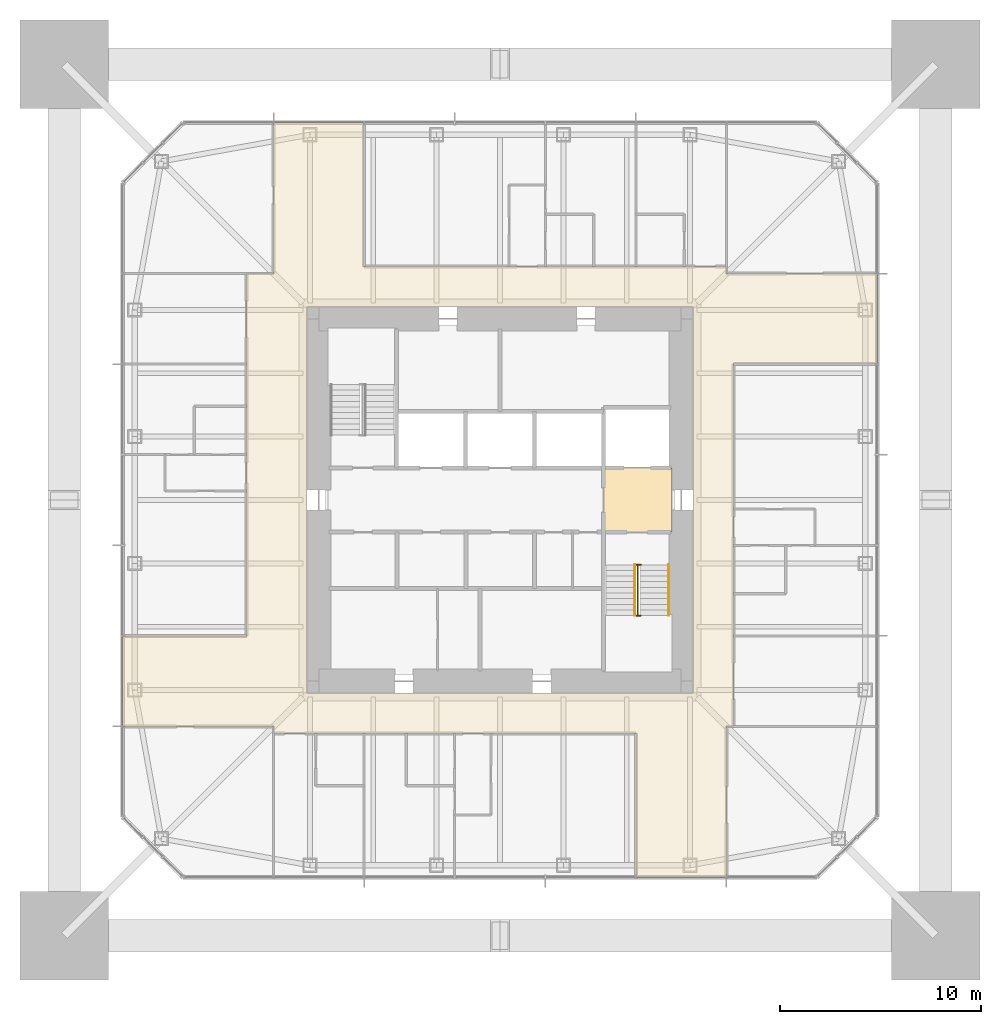
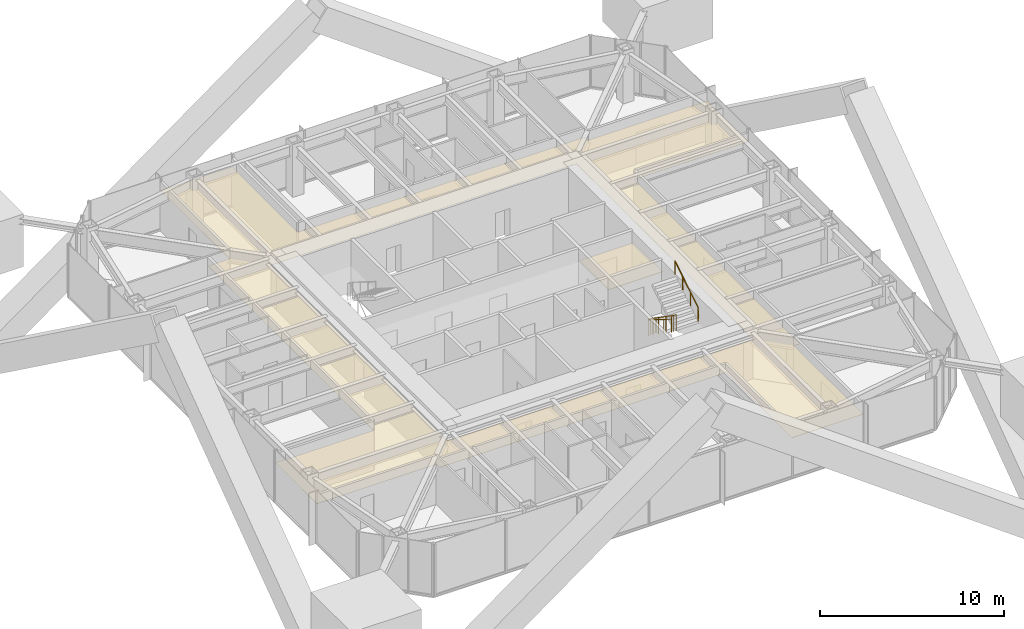
# One storey, part 12 of 13: 3 railings, 2 coverings.
"""IFC4 building model written with IfcOpenShell, lengths in metres."""

from ifc_helpers import new_model, si_unit, direction, frame, origin, origin_2d, place, context, subcontext, project, spatial, polyline, circle, outline, extrude, material, layer, layer_set, constituent, constituent_set, type_object, element, save


model = new_model("IFC4")

# Units and contexts
model_context = context("Model", 3, precision=1e-05, world=origin(), true_north=direction((0.0, 1.0)))
body_context = subcontext(model_context, "Body", "Model", "MODEL_VIEW")
ifc_project = project(units=[si_unit("LENGTHUNIT", "METRE"), si_unit("AREAUNIT", "SQUARE_METRE"), si_unit("VOLUMEUNIT", "CUBIC_METRE"), si_unit("PLANEANGLEUNIT", "RADIAN"), si_unit("MASSUNIT", "GRAM", prefix="KILO")], contexts=[model_context])

# Site, building, storey
site_placement = place(None, origin())
site = spatial("IfcSite", under=ifc_project, at=site_placement, CompositionType="ELEMENT")
building_placement = place(site_placement, origin())
building = spatial("IfcBuilding", under=site, at=building_placement, Name="Iwan Alto Co-Living Towers", CompositionType="ELEMENT")
storey_placement = place(building_placement, frame((0.0, 0.0, 184.5)))
storey = spatial("IfcBuildingStorey", under=building, at=storey_placement, Name="L50", CompositionType="ELEMENT", Elevation=184.5)

# Covering
ifc_material_1 = material(Name="Mineral fibre acoustic tiles on steel grid", Category="steel")
ifc_layer_1 = layer(ifc_material_1, 0.02001953125)
ifc_layer_set_1 = layer_set([ifc_layer_1], Name="ACOUSTIC TILE CEILING 20")
covering_type_1 = type_object("IfcCoveringType", Name="ACOUSTIC TILE CEILING 20", PredefinedType="CEILING", material=ifc_layer_set_1)
covering_1_placement = place(storey_placement, frame((0.0, 0.0, 2.60009765625)))
element("IfcCovering", 1, at=covering_1_placement, inside=storey, type_object=covering_type_1, Name="Ceiling Firefighting lobby L50", PredefinedType="CEILING", context=body_context, shape_type="SweptSolid", body=[
    extrude(outline(polyline([(5.14990234375, -1.60009765625), (5.14990234375, 1.60009765625), (8.550048828125, 1.60009765625), (8.550048828125, -1.60009765625), (5.14990234375, -1.60009765625)])), origin(), (0.0, 0.0, 1.0), 0.02001953125),
])

# Railings
ifc_material_2 = material(Name="Steel ASTM A500 Gr C", Category="steel")
ifc_constituent_1 = constituent(ifc_material_2, Name="Rails and posts", Category="Framing")
ifc_material_3 = material(Name="Steel ASTM A36", Category="steel")
ifc_constituent_2 = constituent(ifc_material_3, Name="Bar infill", Category="Infill")
ifc_constituent_set = constituent_set(constituents=[ifc_constituent_1, ifc_constituent_2], Name="STAIR GUARD 1100")
railing_type_1 = type_object("IfcRailingType", Name="STAIR GUARD 1100", PredefinedType="GUARDRAIL", material=ifc_constituent_set)
railing_1_placement = place(storey_placement, frame((6.85009765625, -3.219970703125, 0.0)))
element("IfcRailing", 2, at=railing_1_placement, inside=storey, type_object=railing_type_1, Name="Stair T1-S2 well guard L50", PredefinedType="GUARDRAIL", context=body_context, shape_type="SweptSolid", body=[
    extrude(circle(Radius=0.02392578125, at=origin_2d()), frame((0.0, 0.0, 1.076171875), z_axis=(0.0, -0.821372036852, 0.570392826987), x_axis=(1.0, 0.0, 0.0)), (0.0, 0.0, 1.0), 3.068115234375),
    extrude(circle(Radius=0.02392578125, at=origin_2d()), frame((-0.150146484375, 0.0, 1.076171875), z_axis=(1.0, 0.0, 0.0), x_axis=(0.0, 1.0, 0.0)), (0.0, 0.0, 1.0), 0.300048828125),
    extrude(circle(Radius=0.02392578125, at=origin_2d()), frame((-0.150146484375, -2.52001953125, 2.826171875), z_axis=(1.0, 0.0, 0.0), x_axis=(0.0, 1.0, 0.0)), (0.0, 0.0, 1.0), 0.300048828125),
    extrude(circle(Radius=0.02099609375, at=origin_2d()), origin(), (0.0, 0.0, 1.0), 1.052001953125),
    extrude(circle(Radius=0.02099609375, at=origin_2d()), frame((0.0, -0.840087890625, 0.583251953125)), (0.0, 0.0, 1.0), 1.052001953125),
    extrude(circle(Radius=0.02099609375, at=origin_2d()), frame((0.0, -1.679931640625, 1.166748046875)), (0.0, 0.0, 1.0), 1.052001953125),
    extrude(circle(Radius=0.02099609375, at=origin_2d()), frame((0.0, -2.52001953125, 1.75)), (0.0, 0.0, 1.0), 1.052001953125),
    extrude(circle(Radius=0.02099609375, at=origin_2d()), frame((-0.150146484375, 0.0, 0.0)), (0.0, 0.0, 1.0), 1.052001953125),
    extrude(circle(Radius=0.02099609375, at=origin_2d()), frame((0.14990234375, 0.0, 0.0)), (0.0, 0.0, 1.0), 1.052001953125),
    extrude(circle(Radius=0.02099609375, at=origin_2d()), frame((-0.150146484375, -2.52001953125, 1.75)), (0.0, 0.0, 1.0), 1.052001953125),
    extrude(circle(Radius=0.02099609375, at=origin_2d()), frame((0.14990234375, -2.52001953125, 1.75)), (0.0, 0.0, 1.0), 1.052001953125),
])
ifc_material_4 = material(Name="Steel ASTM A500 Gr C", Category="steel")
railing_type_2 = type_object("IfcRailingType", Name="STAIR HANDRAIL 900", PredefinedType="HANDRAIL", material=ifc_material_4)
railing_2_placement = place(storey_placement, frame((6.699951171875, -3.219970703125, 0.175048828125)))
element("IfcRailing", 3, at=railing_2_placement, inside=storey, type_object=railing_type_2, Name="Stair T1-S2 handrail 1 L50", PredefinedType="HANDRAIL", context=body_context, shape_type="SweptSolid", body=[
    extrude(circle(Radius=0.02392578125, at=origin_2d()), frame((0.0, 0.0, 0.8759765625), z_axis=(0.0, -0.848007534815, 0.529984170421), x_axis=(1.0, 0.0, 0.0)), (0.0, 0.0, 1.0), 2.9716796875),
    extrude(circle(Radius=0.02099609375, at=origin_2d()), origin(), (0.0, 0.0, 1.0), 0.851806640625),
    extrude(circle(Radius=0.02099609375, at=origin_2d()), frame((0.0, -0.840087890625, 0.52490234375)), (0.0, 0.0, 1.0), 0.851806640625),
    extrude(circle(Radius=0.02099609375, at=origin_2d()), frame((0.0, -1.679931640625, 1.050048828125)), (0.0, 0.0, 1.0), 0.851806640625),
    extrude(circle(Radius=0.02099609375, at=origin_2d()), frame((0.0, -2.52001953125, 1.574951171875)), (0.0, 0.0, 1.0), 0.851806640625),
])
railing_3_placement = place(storey_placement, frame((8.3798828125, -5.739990234375, 1.925048828125)))
element("IfcRailing", 4, at=railing_3_placement, inside=storey, type_object=railing_type_2, Name="Stair T1-S2 handrail 2 L50", PredefinedType="HANDRAIL", context=body_context, shape_type="SweptSolid", body=[
    extrude(circle(Radius=0.02392578125, at=origin_2d()), frame((0.0, 0.0, 0.8759765625), z_axis=(0.0, 0.848007534815, 0.529984170421), x_axis=(-1.0, 0.0, 0.0)), (0.0, 0.0, 1.0), 2.9716796875),
    extrude(circle(Radius=0.02099609375, at=origin_2d()), origin(), (0.0, 0.0, 1.0), 0.851806640625),
    extrude(circle(Radius=0.02099609375, at=origin_2d()), frame((0.0, 0.840087890625, 0.52490234375)), (0.0, 0.0, 1.0), 0.851806640625),
    extrude(circle(Radius=0.02099609375, at=origin_2d()), frame((0.0, 1.679931640625, 1.050048828125)), (0.0, 0.0, 1.0), 0.851806640625),
    extrude(circle(Radius=0.02099609375, at=origin_2d()), frame((0.0, 2.52001953125, 1.574951171875)), (0.0, 0.0, 1.0), 0.851806640625),
])

# Covering
ifc_material_5 = material(Name="Gypsum plasterboard on steel grid", Category="steel")
ifc_layer_2 = layer(ifc_material_5, 0.014892578125)
ifc_layer_set_2 = layer_set([ifc_layer_2], Name="SUSPENDED PLASTERBOARD CEILING 15")
covering_type_2 = type_object("IfcCoveringType", Name="SUSPENDED PLASTERBOARD CEILING 15", PredefinedType="CEILING", material=ifc_layer_set_2)
covering_2_placement = place(storey_placement, frame((0.0, 0.0, 2.60009765625)))
element("IfcCovering", 5, at=covering_2_placement, inside=storey, type_object=covering_type_2, Name="Ceiling Corridor L50", PredefinedType="CEILING", context=body_context, shape_type="SweptSolid", body=[
    extrude(outline(polyline([(-18.75, -6.75), (-12.60009765625, -6.75), (-12.60009765625, 11.25), (-11.25, 11.25), (-11.25, 11.60009765625), (-11.25, 18.75), (-6.75, 18.75), (-6.75, 11.60009765625), (11.25, 11.60009765625), (11.25, 11.25), (11.60009765625, 11.25), (18.75, 11.25), (18.75, 6.75), (11.60009765625, 6.75), (11.60009765625, -11.25), (11.25, -11.25), (11.25, -11.60009765625), (11.25, -18.75), (6.75, -18.75), (6.75, -11.60009765625), (-11.25, -11.60009765625), (-11.25, -11.25), (-12.60009765625, -11.25), (-18.75, -11.25), (-18.75, -6.75)]), holes=[polyline([(9.60009765625, 9.60009765625), (-9.60009765625, 9.60009765625), (-9.60009765625, -9.60009765625), (9.60009765625, -9.60009765625), (9.60009765625, 9.60009765625)])]), origin(), (0.0, 0.0, 1.0), 0.014892578125),
])

save(model, "model.ifc")
